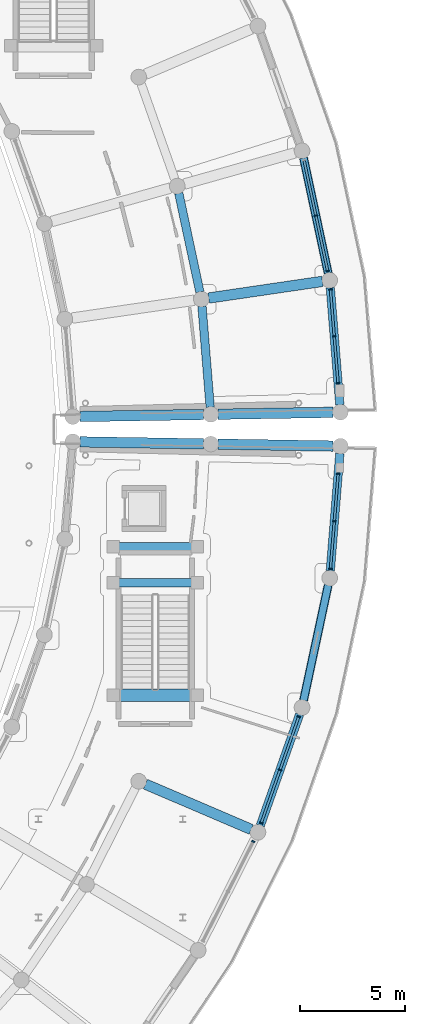
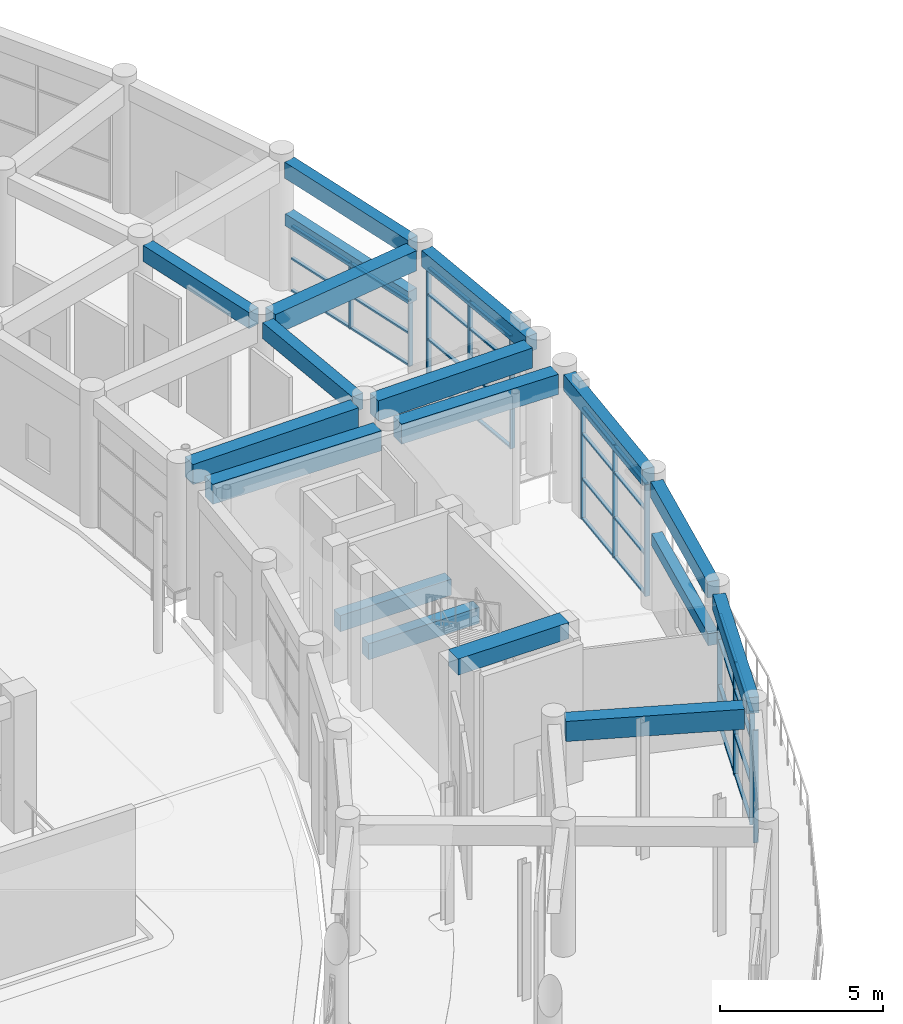
# One storey, part 45 of 99: 42 members, 18 beams, 5 elements without a shape of their own.
"""IFC4 building model written with IfcOpenShell, lengths in metres."""

from ifc_helpers import new_model, si_unit, direction, frame, origin, origin_2d, place, context, subcontext, project, spatial, rectangle, extrude, material, material_profile, profile_set, type_object, element, aggregate, save


model = new_model("IFC4")

# Units and contexts
model_context = context("Model", 3, precision=1e-05, world=origin(), true_north=direction((0.0, 1.0)))
body_context = subcontext(model_context, "Body", "Model", "MODEL_VIEW")
ifc_project = project(units=[si_unit("LENGTHUNIT", "METRE"), si_unit("AREAUNIT", "SQUARE_METRE"), si_unit("VOLUMEUNIT", "CUBIC_METRE"), si_unit("PLANEANGLEUNIT", "RADIAN"), si_unit("MASSUNIT", "GRAM", prefix="KILO")], contexts=[model_context])

# Site, building, storey
site_placement = place(None, origin())
site = spatial("IfcSite", under=ifc_project, at=site_placement, CompositionType="ELEMENT")
building_placement = place(site_placement, origin())
building = spatial("IfcBuilding", under=site, at=building_placement, Name="Saryqyr Civic Hall", CompositionType="ELEMENT")
storey_placement = place(building_placement, origin())
storey = spatial("IfcBuildingStorey", under=building, at=storey_placement, Name="L00", CompositionType="ELEMENT", Elevation=0.0)

# Curtain wall, member
ifc_material_1 = material(Name="Anodised aluminium and triple low-E glass", Category="aluminium")
curtain_wall_type_1 = type_object("IfcCurtainWallType", Name="ENV-CW-STD-35", PredefinedType="NOTDEFINED", material=ifc_material_1)
curtain_wall_1_placement = place(storey_placement, origin())
curtain_wall_1 = element("IfcCurtainWall", 1, at=curtain_wall_1_placement, inside=storey, type_object=curtain_wall_type_1, Name="Curtain wall V5-CWO-L00-06", PredefinedType="NOTDEFINED")
ifc_material_2 = material(Name="Anodised aluminium", Category="aluminium")
ifc_material_profile_1 = material_profile(ifc_material_2, rectangle(XDim=0.06005859375, YDim=0.159912109375, at=origin_2d()), Name="ALU MULLION 60x160")
ifc_profile_set_1 = profile_set([ifc_material_profile_1], Name="Anodised aluminium")
member_type_1 = type_object("IfcMemberType", Name="ENV-CW-MUL-180", PredefinedType="MULLION", material=ifc_profile_set_1)
member_1_placement = place(storey_placement, frame((101.82568359375, 64.28271484375, 0.0), z_axis=(0.0, 0.0, 1.0), x_axis=(-0.451942386625, -0.892047128335, 0.0)))
member_1 = element("IfcMember", 2, at=member_1_placement, type_object=member_type_1, Name="CW-35 mullion 1", PredefinedType="MULLION", context=body_context, shape_type="SweptSolid", body=[
    extrude(rectangle(XDim=0.06005859375, YDim=0.159912109375, at=origin_2d()), origin(), (0.0, 0.0, 1.0), 4.195068359375),
])
aggregate(curtain_wall_1, [member_1])

# Curtain wall, members
curtain_wall_2_placement = place(storey_placement, origin())
curtain_wall_2 = element("IfcCurtainWall", 3, at=curtain_wall_2_placement, inside=storey, type_object=curtain_wall_type_1, Name="Curtain wall V5-CWO-L00-07", PredefinedType="NOTDEFINED")
member_2_placement = place(storey_placement, frame((104.001220703125, 70.247802734375, 0.0), z_axis=(0.0, 0.0, 1.0), x_axis=(-0.333181095061, -0.942862852113, 0.0)))
member_2 = element("IfcMember", 4, at=member_2_placement, type_object=member_type_1, Name="CW-35 mullion 1", PredefinedType="MULLION", context=body_context, shape_type="SweptSolid", body=[
    extrude(rectangle(XDim=0.06005859375, YDim=0.159912109375, at=origin_2d()), origin(), (0.0, 0.0, 1.0), 4.195068359375),
])
member_3_placement = place(storey_placement, frame((103.103759765625, 67.707763671875, 0.0), z_axis=(0.0, 0.0, 1.0), x_axis=(-0.333181095061, -0.942862852113, 0.0)))
member_3 = element("IfcMember", 5, at=member_3_placement, type_object=member_type_1, Name="CW-35 mullion 2", PredefinedType="MULLION", context=body_context, shape_type="SweptSolid", body=[
    extrude(rectangle(XDim=0.06005859375, YDim=0.159912109375, at=origin_2d()), origin(), (0.0, 0.0, 1.0), 4.195068359375),
])
member_4_placement = place(storey_placement, frame((102.2060546875, 65.167724609375, 0.0), z_axis=(0.0, 0.0, 1.0), x_axis=(-0.333181095061, -0.942862852113, 0.0)))
member_4 = element("IfcMember", 6, at=member_4_placement, type_object=member_type_1, Name="CW-35 mullion 3", PredefinedType="MULLION", context=body_context, shape_type="SweptSolid", body=[
    extrude(rectangle(XDim=0.06005859375, YDim=0.159912109375, at=origin_2d()), origin(), (0.0, 0.0, 1.0), 4.195068359375),
])

curtain_wall_type_2 = type_object("IfcCurtainWallType", Name="ENV-CW-STD-32", PredefinedType="NOTDEFINED", material=ifc_material_1)
curtain_wall_3_placement = place(storey_placement, origin())
curtain_wall_3 = element("IfcCurtainWall", 7, at=curtain_wall_3_placement, inside=storey, type_object=curtain_wall_type_2, Name="Curtain wall V5-CWO-L00-09", PredefinedType="NOTDEFINED")
member_5_placement = place(storey_placement, frame((105.8857421875, 81.86669921875, 0.0), z_axis=(0.0, 0.0, 1.0), x_axis=(-0.081093274213, -0.996706516923, 0.0)))
member_5 = element("IfcMember", 8, at=member_5_placement, type_object=member_type_1, Name="CW-32 mullion 1", PredefinedType="MULLION", context=body_context, shape_type="SweptSolid", body=[
    extrude(rectangle(XDim=0.06005859375, YDim=0.159912109375, at=origin_2d()), origin(), (0.0, 0.0, 1.0), 4.195068359375),
])
member_6_placement = place(storey_placement, frame((105.700927734375, 79.595947265625, 0.0), z_axis=(0.0, 0.0, 1.0), x_axis=(-0.081093274213, -0.996706516923, 0.0)))
member_6 = element("IfcMember", 9, at=member_6_placement, type_object=member_type_1, Name="CW-32 mullion 2", PredefinedType="MULLION", context=body_context, shape_type="SweptSolid", body=[
    extrude(rectangle(XDim=0.06005859375, YDim=0.159912109375, at=origin_2d()), origin(), (0.0, 0.0, 1.0), 4.195068359375),
])
member_7_placement = place(storey_placement, frame((105.51611328125, 77.324951171875, 0.0), z_axis=(0.0, 0.0, 1.0), x_axis=(-0.081093274213, -0.996706516923, 0.0)))
member_7 = element("IfcMember", 10, at=member_7_placement, type_object=member_type_1, Name="CW-32 mullion 3", PredefinedType="MULLION", context=body_context, shape_type="SweptSolid", body=[
    extrude(rectangle(XDim=0.06005859375, YDim=0.159912109375, at=origin_2d()), origin(), (0.0, 0.0, 1.0), 4.195068359375),
])

curtain_wall_type_3 = type_object("IfcCurtainWallType", Name="ENV-CW-STD-12", PredefinedType="NOTDEFINED", material=ifc_material_1)
curtain_wall_4_placement = place(storey_placement, origin())
curtain_wall_4 = element("IfcCurtainWall", 11, at=curtain_wall_4_placement, inside=storey, type_object=curtain_wall_type_3, Name="Curtain wall V6-CWO-L00-00", PredefinedType="NOTDEFINED")
member_8_placement = place(storey_placement, frame((105.51611328125, 90.675048828125, 0.0), z_axis=(0.0, 0.0, 1.0), x_axis=(0.081093731966, -0.99670647968, 0.0)))
member_8 = element("IfcMember", 12, at=member_8_placement, type_object=member_type_1, Name="CW-12 mullion 1", PredefinedType="MULLION", context=body_context, shape_type="SweptSolid", body=[
    extrude(rectangle(XDim=0.06005859375, YDim=0.159912109375, at=origin_2d()), origin(), (0.0, 0.0, 1.0), 4.195068359375),
])
member_9_placement = place(storey_placement, frame((105.697998046875, 88.441650390625, 0.0), z_axis=(0.0, 0.0, 1.0), x_axis=(0.081093731966, -0.99670647968, 0.0)))
member_9 = element("IfcMember", 13, at=member_9_placement, type_object=member_type_1, Name="CW-12 mullion 2", PredefinedType="MULLION", context=body_context, shape_type="SweptSolid", body=[
    extrude(rectangle(XDim=0.06005859375, YDim=0.159912109375, at=origin_2d()), origin(), (0.0, 0.0, 1.0), 4.195068359375),
])
member_10_placement = place(storey_placement, frame((105.879638671875, 86.208251953125, 0.0), z_axis=(0.0, 0.0, 1.0), x_axis=(0.081093731966, -0.99670647968, 0.0)))
member_10 = element("IfcMember", 14, at=member_10_placement, type_object=member_type_1, Name="CW-12 mullion 3", PredefinedType="MULLION", context=body_context, shape_type="SweptSolid", body=[
    extrude(rectangle(XDim=0.06005859375, YDim=0.159912109375, at=origin_2d()), origin(), (0.0, 0.0, 1.0), 4.195068359375),
])

curtain_wall_type_4 = type_object("IfcCurtainWallType", Name="ENV-CW-STD-38", PredefinedType="NOTDEFINED", material=ifc_material_1)
curtain_wall_5_placement = place(storey_placement, origin())
curtain_wall_5 = element("IfcCurtainWall", 15, at=curtain_wall_5_placement, inside=storey, type_object=curtain_wall_type_4, Name="Curtain wall V6-CWO-L00-01", PredefinedType="NOTDEFINED")
member_11_placement = place(storey_placement, frame((104.819091796875, 94.21435546875, 0.0), z_axis=(0.0, 0.0, 1.0), x_axis=(0.208915877242, -0.977933615455, 0.0)))
member_11 = element("IfcMember", 16, at=member_11_placement, type_object=member_type_1, Name="CW-38 mullion 2", PredefinedType="MULLION", context=body_context, shape_type="SweptSolid", body=[
    extrude(rectangle(XDim=0.06005859375, YDim=0.159912109375, at=origin_2d()), origin(), (0.0, 0.0, 1.0), 2.449951171875),
])
member_12_placement = place(storey_placement, frame((105.38525390625, 91.564453125, 0.0), z_axis=(0.0, 0.0, 1.0), x_axis=(0.208915877242, -0.977933615455, 0.0)))
member_12 = element("IfcMember", 17, at=member_12_placement, type_object=member_type_1, Name="CW-38 mullion 3", PredefinedType="MULLION", context=body_context, shape_type="SweptSolid", body=[
    extrude(rectangle(XDim=0.06005859375, YDim=0.159912109375, at=origin_2d()), origin(), (0.0, 0.0, 1.0), 2.449951171875),
])

# Member
ifc_material_profile_2 = material_profile(ifc_material_2, rectangle(XDim=0.1201171875, YDim=0.06005859375, at=origin_2d()), Name="ALU TRANSOM 120x60")
ifc_profile_set_2 = profile_set([ifc_material_profile_2], Name="Anodised aluminium")
member_type_2 = type_object("IfcMemberType", Name="ENV-CW-TRN-150", PredefinedType="USERDEFINED", material=ifc_profile_set_2)
member_13_placement = place(storey_placement, frame((103.9912109375, 70.2197265625, 0.030029296875), z_axis=(-0.333110991169, -0.942887621916, 0.0), x_axis=(0.942887621916, -0.333110991169, 0.0)))
member_13 = element("IfcMember", 18, at=member_13_placement, type_object=member_type_2, Name="CW-35 transom 1.1", ObjectType="TRANSOM", PredefinedType="USERDEFINED", context=body_context, shape_type="SweptSolid", body=[
    extrude(rectangle(XDim=0.1201171875, YDim=0.06005859375, at=origin_2d()), origin(), (0.0, 0.0, 1.0), 2.634033203125),
])

member_14_placement = place(storey_placement, frame((103.9912109375, 70.2197265625, 1.510009765625), z_axis=(-0.333110991169, -0.942887621916, 0.0), x_axis=(0.942887621916, -0.333110991169, 0.0)))
member_14 = element("IfcMember", 19, at=member_14_placement, type_object=member_type_2, Name="CW-35 transom 1.2", ObjectType="TRANSOM", PredefinedType="USERDEFINED", context=body_context, shape_type="SweptSolid", body=[
    extrude(rectangle(XDim=0.1201171875, YDim=0.06005859375, at=origin_2d()), origin(), (0.0, 0.0, 1.0), 2.634033203125),
])

member_15_placement = place(storey_placement, frame((103.9912109375, 70.2197265625, 3.18798828125), z_axis=(-0.333110991169, -0.942887621916, 0.0), x_axis=(0.942887621916, -0.333110991169, 0.0)))
member_15 = element("IfcMember", 20, at=member_15_placement, type_object=member_type_2, Name="CW-35 transom 1.3", ObjectType="TRANSOM", PredefinedType="USERDEFINED", context=body_context, shape_type="SweptSolid", body=[
    extrude(rectangle(XDim=0.1201171875, YDim=0.06005859375, at=origin_2d()), origin(), (0.0, 0.0, 1.0), 2.634033203125),
])

member_16_placement = place(storey_placement, frame((103.9912109375, 70.2197265625, 4.1650390625), z_axis=(-0.333110991169, -0.942887621916, 0.0), x_axis=(0.942887621916, -0.333110991169, 0.0)))
member_16 = element("IfcMember", 21, at=member_16_placement, type_object=member_type_2, Name="CW-35 transom 1.4", ObjectType="TRANSOM", PredefinedType="USERDEFINED", context=body_context, shape_type="SweptSolid", body=[
    extrude(rectangle(XDim=0.1201171875, YDim=0.06005859375, at=origin_2d()), origin(), (0.0, 0.0, 1.0), 2.634033203125),
])

member_17_placement = place(storey_placement, frame((103.09375, 67.679443359375, 0.030029296875), z_axis=(-0.333222506993, -0.942848217283, 0.0), x_axis=(0.942848217283, -0.333222506993, 0.0)))
member_17 = element("IfcMember", 22, at=member_17_placement, type_object=member_type_2, Name="CW-35 transom 2.1", ObjectType="TRANSOM", PredefinedType="USERDEFINED", context=body_context, shape_type="SweptSolid", body=[
    extrude(rectangle(XDim=0.1201171875, YDim=0.06005859375, at=origin_2d()), origin(), (0.0, 0.0, 1.0), 2.634033203125),
])

member_18_placement = place(storey_placement, frame((103.09375, 67.679443359375, 1.510009765625), z_axis=(-0.333222506993, -0.942848217283, 0.0), x_axis=(0.942848217283, -0.333222506993, 0.0)))
member_18 = element("IfcMember", 23, at=member_18_placement, type_object=member_type_2, Name="CW-35 transom 2.2", ObjectType="TRANSOM", PredefinedType="USERDEFINED", context=body_context, shape_type="SweptSolid", body=[
    extrude(rectangle(XDim=0.1201171875, YDim=0.06005859375, at=origin_2d()), origin(), (0.0, 0.0, 1.0), 2.634033203125),
])

member_19_placement = place(storey_placement, frame((103.09375, 67.679443359375, 3.18798828125), z_axis=(-0.333222506993, -0.942848217283, 0.0), x_axis=(0.942848217283, -0.333222506993, 0.0)))
member_19 = element("IfcMember", 24, at=member_19_placement, type_object=member_type_2, Name="CW-35 transom 2.3", ObjectType="TRANSOM", PredefinedType="USERDEFINED", context=body_context, shape_type="SweptSolid", body=[
    extrude(rectangle(XDim=0.1201171875, YDim=0.06005859375, at=origin_2d()), origin(), (0.0, 0.0, 1.0), 2.634033203125),
])

member_20_placement = place(storey_placement, frame((103.09375, 67.679443359375, 4.1650390625), z_axis=(-0.333222506993, -0.942848217283, 0.0), x_axis=(0.942848217283, -0.333222506993, 0.0)))
member_20 = element("IfcMember", 25, at=member_20_placement, type_object=member_type_2, Name="CW-35 transom 2.4", ObjectType="TRANSOM", PredefinedType="USERDEFINED", context=body_context, shape_type="SweptSolid", body=[
    extrude(rectangle(XDim=0.1201171875, YDim=0.06005859375, at=origin_2d()), origin(), (0.0, 0.0, 1.0), 2.634033203125),
])

aggregate(curtain_wall_2, [member_2, member_3, member_4, member_13, member_14, member_15, member_16, member_17, member_18, member_19, member_20])

member_21_placement = place(storey_placement, frame((105.88330078125, 81.8369140625, 0.030029296875), z_axis=(-0.081105440366, -0.996705526995, 0.0), x_axis=(0.996705526995, -0.081105440366, 0.0)))
member_21 = element("IfcMember", 26, at=member_21_placement, type_object=member_type_2, Name="CW-32 transom 1.1", ObjectType="TRANSOM", PredefinedType="USERDEFINED", context=body_context, shape_type="SweptSolid", body=[
    extrude(rectangle(XDim=0.1201171875, YDim=0.06005859375, at=origin_2d()), origin(), (0.0, 0.0, 1.0), 2.218505859375),
])

member_22_placement = place(storey_placement, frame((105.88330078125, 81.8369140625, 1.510009765625), z_axis=(-0.081105440366, -0.996705526995, 0.0), x_axis=(0.996705526995, -0.081105440366, 0.0)))
member_22 = element("IfcMember", 27, at=member_22_placement, type_object=member_type_2, Name="CW-32 transom 1.2", ObjectType="TRANSOM", PredefinedType="USERDEFINED", context=body_context, shape_type="SweptSolid", body=[
    extrude(rectangle(XDim=0.1201171875, YDim=0.06005859375, at=origin_2d()), origin(), (0.0, 0.0, 1.0), 2.218505859375),
])

member_23_placement = place(storey_placement, frame((105.88330078125, 81.8369140625, 3.18798828125), z_axis=(-0.081105440366, -0.996705526995, 0.0), x_axis=(0.996705526995, -0.081105440366, 0.0)))
member_23 = element("IfcMember", 28, at=member_23_placement, type_object=member_type_2, Name="CW-32 transom 1.3", ObjectType="TRANSOM", PredefinedType="USERDEFINED", context=body_context, shape_type="SweptSolid", body=[
    extrude(rectangle(XDim=0.1201171875, YDim=0.06005859375, at=origin_2d()), origin(), (0.0, 0.0, 1.0), 2.218505859375),
])

member_24_placement = place(storey_placement, frame((105.88330078125, 81.8369140625, 4.1650390625), z_axis=(-0.081105440366, -0.996705526995, 0.0), x_axis=(0.996705526995, -0.081105440366, 0.0)))
member_24 = element("IfcMember", 29, at=member_24_placement, type_object=member_type_2, Name="CW-32 transom 1.4", ObjectType="TRANSOM", PredefinedType="USERDEFINED", context=body_context, shape_type="SweptSolid", body=[
    extrude(rectangle(XDim=0.1201171875, YDim=0.06005859375, at=origin_2d()), origin(), (0.0, 0.0, 1.0), 2.218505859375),
])

member_25_placement = place(storey_placement, frame((105.698486328125, 79.56591796875, 0.030029296875), z_axis=(-0.081105440366, -0.996705526995, 0.0), x_axis=(0.996705526995, -0.081105440366, 0.0)))
member_25 = element("IfcMember", 30, at=member_25_placement, type_object=member_type_2, Name="CW-32 transom 2.1", ObjectType="TRANSOM", PredefinedType="USERDEFINED", context=body_context, shape_type="SweptSolid", body=[
    extrude(rectangle(XDim=0.1201171875, YDim=0.06005859375, at=origin_2d()), origin(), (0.0, 0.0, 1.0), 2.218505859375),
])

member_26_placement = place(storey_placement, frame((105.698486328125, 79.56591796875, 1.510009765625), z_axis=(-0.081105440366, -0.996705526995, 0.0), x_axis=(0.996705526995, -0.081105440366, 0.0)))
member_26 = element("IfcMember", 31, at=member_26_placement, type_object=member_type_2, Name="CW-32 transom 2.2", ObjectType="TRANSOM", PredefinedType="USERDEFINED", context=body_context, shape_type="SweptSolid", body=[
    extrude(rectangle(XDim=0.1201171875, YDim=0.06005859375, at=origin_2d()), origin(), (0.0, 0.0, 1.0), 2.218505859375),
])

member_27_placement = place(storey_placement, frame((105.698486328125, 79.56591796875, 3.18798828125), z_axis=(-0.081105440366, -0.996705526995, 0.0), x_axis=(0.996705526995, -0.081105440366, 0.0)))
member_27 = element("IfcMember", 32, at=member_27_placement, type_object=member_type_2, Name="CW-32 transom 2.3", ObjectType="TRANSOM", PredefinedType="USERDEFINED", context=body_context, shape_type="SweptSolid", body=[
    extrude(rectangle(XDim=0.1201171875, YDim=0.06005859375, at=origin_2d()), origin(), (0.0, 0.0, 1.0), 2.218505859375),
])

member_28_placement = place(storey_placement, frame((105.698486328125, 79.56591796875, 4.1650390625), z_axis=(-0.081105440366, -0.996705526995, 0.0), x_axis=(0.996705526995, -0.081105440366, 0.0)))
member_28 = element("IfcMember", 33, at=member_28_placement, type_object=member_type_2, Name="CW-32 transom 2.4", ObjectType="TRANSOM", PredefinedType="USERDEFINED", context=body_context, shape_type="SweptSolid", body=[
    extrude(rectangle(XDim=0.1201171875, YDim=0.06005859375, at=origin_2d()), origin(), (0.0, 0.0, 1.0), 2.218505859375),
])

aggregate(curtain_wall_3, [member_5, member_6, member_7, member_21, member_22, member_23, member_24, member_25, member_26, member_27, member_28])

member_29_placement = place(storey_placement, frame((105.5185546875, 90.645263671875, 0.030029296875), z_axis=(0.081155497863, -0.996701452375, 0.0), x_axis=(0.996701452375, 0.081155497863, 0.0)))
member_29 = element("IfcMember", 34, at=member_29_placement, type_object=member_type_2, Name="CW-12 transom 1.1", ObjectType="TRANSOM", PredefinedType="USERDEFINED", context=body_context, shape_type="SweptSolid", body=[
    extrude(rectangle(XDim=0.1201171875, YDim=0.06005859375, at=origin_2d()), origin(), (0.0, 0.0, 1.0), 2.180908203125),
])

member_30_placement = place(storey_placement, frame((105.5185546875, 90.645263671875, 1.510009765625), z_axis=(0.081155497863, -0.996701452375, 0.0), x_axis=(0.996701452375, 0.081155497863, 0.0)))
member_30 = element("IfcMember", 35, at=member_30_placement, type_object=member_type_2, Name="CW-12 transom 1.2", ObjectType="TRANSOM", PredefinedType="USERDEFINED", context=body_context, shape_type="SweptSolid", body=[
    extrude(rectangle(XDim=0.1201171875, YDim=0.06005859375, at=origin_2d()), origin(), (0.0, 0.0, 1.0), 2.180908203125),
])

member_31_placement = place(storey_placement, frame((105.5185546875, 90.645263671875, 3.18798828125), z_axis=(0.081155497863, -0.996701452375, 0.0), x_axis=(0.996701452375, 0.081155497863, 0.0)))
member_31 = element("IfcMember", 36, at=member_31_placement, type_object=member_type_2, Name="CW-12 transom 1.3", ObjectType="TRANSOM", PredefinedType="USERDEFINED", context=body_context, shape_type="SweptSolid", body=[
    extrude(rectangle(XDim=0.1201171875, YDim=0.06005859375, at=origin_2d()), origin(), (0.0, 0.0, 1.0), 2.180908203125),
])

member_32_placement = place(storey_placement, frame((105.5185546875, 90.645263671875, 4.1650390625), z_axis=(0.081155497863, -0.996701452375, 0.0), x_axis=(0.996701452375, 0.081155497863, 0.0)))
member_32 = element("IfcMember", 37, at=member_32_placement, type_object=member_type_2, Name="CW-12 transom 1.4", ObjectType="TRANSOM", PredefinedType="USERDEFINED", context=body_context, shape_type="SweptSolid", body=[
    extrude(rectangle(XDim=0.1201171875, YDim=0.06005859375, at=origin_2d()), origin(), (0.0, 0.0, 1.0), 2.180908203125),
])

member_33_placement = place(storey_placement, frame((105.700439453125, 88.411865234375, 0.030029296875), z_axis=(0.081044294982, -0.996710500723, 0.0), x_axis=(0.996710500723, 0.081044294982, 0.0)))
member_33 = element("IfcMember", 38, at=member_33_placement, type_object=member_type_2, Name="CW-12 transom 2.1", ObjectType="TRANSOM", PredefinedType="USERDEFINED", context=body_context, shape_type="SweptSolid", body=[
    extrude(rectangle(XDim=0.1201171875, YDim=0.06005859375, at=origin_2d()), origin(), (0.0, 0.0, 1.0), 2.180908203125),
])

member_34_placement = place(storey_placement, frame((105.700439453125, 88.411865234375, 1.510009765625), z_axis=(0.081044294982, -0.996710500723, 0.0), x_axis=(0.996710500723, 0.081044294982, 0.0)))
member_34 = element("IfcMember", 39, at=member_34_placement, type_object=member_type_2, Name="CW-12 transom 2.2", ObjectType="TRANSOM", PredefinedType="USERDEFINED", context=body_context, shape_type="SweptSolid", body=[
    extrude(rectangle(XDim=0.1201171875, YDim=0.06005859375, at=origin_2d()), origin(), (0.0, 0.0, 1.0), 2.180908203125),
])

member_35_placement = place(storey_placement, frame((105.700439453125, 88.411865234375, 3.18798828125), z_axis=(0.081044294982, -0.996710500723, 0.0), x_axis=(0.996710500723, 0.081044294982, 0.0)))
member_35 = element("IfcMember", 40, at=member_35_placement, type_object=member_type_2, Name="CW-12 transom 2.3", ObjectType="TRANSOM", PredefinedType="USERDEFINED", context=body_context, shape_type="SweptSolid", body=[
    extrude(rectangle(XDim=0.1201171875, YDim=0.06005859375, at=origin_2d()), origin(), (0.0, 0.0, 1.0), 2.180908203125),
])

member_36_placement = place(storey_placement, frame((105.700439453125, 88.411865234375, 4.1650390625), z_axis=(0.081044294982, -0.996710500723, 0.0), x_axis=(0.996710500723, 0.081044294982, 0.0)))
member_36 = element("IfcMember", 41, at=member_36_placement, type_object=member_type_2, Name="CW-12 transom 2.4", ObjectType="TRANSOM", PredefinedType="USERDEFINED", context=body_context, shape_type="SweptSolid", body=[
    extrude(rectangle(XDim=0.1201171875, YDim=0.06005859375, at=origin_2d()), origin(), (0.0, 0.0, 1.0), 2.180908203125),
])

aggregate(curtain_wall_4, [member_8, member_9, member_10, member_29, member_30, member_31, member_32, member_33, member_34, member_35, member_36])

member_37_placement = place(storey_placement, frame((104.259033203125, 96.835205078125, 0.030029296875), z_axis=(0.208943932706, -0.977927621547, 0.0), x_axis=(0.977927621547, 0.208943932706, 0.0)))
member_37 = element("IfcMember", 42, at=member_37_placement, type_object=member_type_2, Name="CW-38 transom 1.1", ObjectType="TRANSOM", PredefinedType="USERDEFINED", context=body_context, shape_type="SweptSolid", body=[
    extrude(rectangle(XDim=0.1201171875, YDim=0.06005859375, at=origin_2d()), origin(), (0.0, 0.0, 1.0), 2.650146484375),
])

member_38_placement = place(storey_placement, frame((104.259033203125, 96.835205078125, 1.22509765625), z_axis=(0.208943932706, -0.977927621547, 0.0), x_axis=(0.977927621547, 0.208943932706, 0.0)))
member_38 = element("IfcMember", 43, at=member_38_placement, type_object=member_type_2, Name="CW-38 transom 1.2", ObjectType="TRANSOM", PredefinedType="USERDEFINED", context=body_context, shape_type="SweptSolid", body=[
    extrude(rectangle(XDim=0.1201171875, YDim=0.06005859375, at=origin_2d()), origin(), (0.0, 0.0, 1.0), 2.650146484375),
])

member_39_placement = place(storey_placement, frame((104.259033203125, 96.835205078125, 2.419921875), z_axis=(0.208943932706, -0.977927621547, 0.0), x_axis=(0.977927621547, 0.208943932706, 0.0)))
member_39 = element("IfcMember", 44, at=member_39_placement, type_object=member_type_2, Name="CW-38 transom 1.3", ObjectType="TRANSOM", PredefinedType="USERDEFINED", context=body_context, shape_type="SweptSolid", body=[
    extrude(rectangle(XDim=0.1201171875, YDim=0.06005859375, at=origin_2d()), origin(), (0.0, 0.0, 1.0), 2.650146484375),
])

member_40_placement = place(storey_placement, frame((104.8251953125, 94.18505859375, 0.030029296875), z_axis=(0.208962758852, -0.977923598965, 0.0), x_axis=(0.977923598965, 0.208962758852, 0.0)))
member_40 = element("IfcMember", 45, at=member_40_placement, type_object=member_type_2, Name="CW-38 transom 2.1", ObjectType="TRANSOM", PredefinedType="USERDEFINED", context=body_context, shape_type="SweptSolid", body=[
    extrude(rectangle(XDim=0.1201171875, YDim=0.06005859375, at=origin_2d()), origin(), (0.0, 0.0, 1.0), 2.64990234375),
])

member_41_placement = place(storey_placement, frame((104.8251953125, 94.18505859375, 1.22509765625), z_axis=(0.208962758852, -0.977923598965, 0.0), x_axis=(0.977923598965, 0.208962758852, 0.0)))
member_41 = element("IfcMember", 46, at=member_41_placement, type_object=member_type_2, Name="CW-38 transom 2.2", ObjectType="TRANSOM", PredefinedType="USERDEFINED", context=body_context, shape_type="SweptSolid", body=[
    extrude(rectangle(XDim=0.1201171875, YDim=0.06005859375, at=origin_2d()), origin(), (0.0, 0.0, 1.0), 2.64990234375),
])

member_42_placement = place(storey_placement, frame((104.8251953125, 94.18505859375, 2.419921875), z_axis=(0.208962758852, -0.977923598965, 0.0), x_axis=(0.977923598965, 0.208962758852, 0.0)))
member_42 = element("IfcMember", 47, at=member_42_placement, type_object=member_type_2, Name="CW-38 transom 2.3", ObjectType="TRANSOM", PredefinedType="USERDEFINED", context=body_context, shape_type="SweptSolid", body=[
    extrude(rectangle(XDim=0.1201171875, YDim=0.06005859375, at=origin_2d()), origin(), (0.0, 0.0, 1.0), 2.64990234375),
])

aggregate(curtain_wall_5, [member_11, member_12, member_37, member_38, member_39, member_40, member_41, member_42])

# Beams
ifc_material_3 = material(Name="Concrete C35/45", Category="concrete")
ifc_material_profile_3 = material_profile(ifc_material_3, rectangle(XDim=0.39990234375, YDim=0.60009765625, at=origin_2d()), Name="RC 400x600")
ifc_profile_set_3 = profile_set([ifc_material_profile_3], Name="Concrete C35/45")
beam_type_1 = type_object("IfcBeamType", Name="STR-BM-RC400x600", PredefinedType="BEAM", material=ifc_profile_set_3)
beam_1_placement = place(storey_placement, frame((99.765625, 85.058349609375, 4.52001953125), z_axis=(-0.081061627259, 0.996709091253, 0.0), x_axis=(-0.996709091253, -0.081061627259, 0.0)))
element("IfcBeam", 48, at=beam_1_placement, inside=storey, type_object=beam_type_1, Name="Beam V6-CBM-MID00-L00", PredefinedType="BEAM", context=body_context, shape_type="SweptSolid", body=[
    extrude(rectangle(XDim=0.39990234375, YDim=0.60009765625, at=origin_2d()), origin(), (0.0, 0.0, 1.0), 4.827880859375),
])
beam_2_placement = place(storey_placement, frame((99.272705078125, 90.561279296875, 4.52001953125), z_axis=(-0.208907397295, 0.977935426987, 0.0), x_axis=(-0.977935426987, -0.208907397295, 0.0)))
element("IfcBeam", 49, at=beam_2_placement, inside=storey, type_object=beam_type_1, Name="Beam V6-CBM-MID01-L00", PredefinedType="BEAM", context=body_context, shape_type="SweptSolid", body=[
    extrude(rectangle(XDim=0.39990234375, YDim=0.60009765625, at=origin_2d()), origin(), (0.0, 0.0, 1.0), 4.82763671875),
])
for number, where, z_axis, x_axis, name in (
    (50, (99.10009765625, 76.64990234375, 2.050048828125), (-1.0, 0.0, 0.0), (0.0, -1.0, 0.0), "Stair half-landing support beam ST-5-LND1-L00"),
    (51, (99.10009765625, 78.3798828125, 2.050048828125), (-1.0, 0.0, 0.0), (0.0, -1.0, 0.0), "Stair half-landing support beam ST-5-LND2-L00"),
):
    element("IfcBeam", number, at=place(storey_placement, frame(where, z_axis=z_axis, x_axis=x_axis)), inside=storey, type_object=beam_type_1, Name=name, PredefinedType="BEAM", context=body_context, shape_type="SweptSolid", body=[
        extrude(rectangle(XDim=0.39990234375, YDim=0.60009765625, at=origin_2d()), origin(), (0.0, 0.0, 1.0), 3.920166015625),
    ])
ifc_material_profile_4 = material_profile(ifc_material_3, rectangle(XDim=0.39990234375, YDim=0.60009765625, at=origin_2d()), Name="RC 400x600")
ifc_profile_set_4 = profile_set([ifc_material_profile_4], Name="Concrete C35/45")
beam_type_2 = type_object("IfcBeamType", Name="STR-BM-RC400x600-EXT", PredefinedType="BEAM", material=ifc_profile_set_4)
for number, where, z_axis, x_axis, name in (
    (52, (102.166015625, 65.054443359375, 4.52001953125), (0.333223962687, 0.942847702808, 0.0), (-0.942847702808, 0.333223962687, 0.0), "Beam V5-CBM-OUT07-L00"),
    (53, (104.231201171875, 71.033447265625, 4.52001953125), (0.208903992851, 0.977936154241, 0.0), (-0.977936154241, 0.208903992851, 0.0), "Beam V5-CBM-OUT08-L00"),
):
    element("IfcBeam", number, at=place(storey_placement, frame(where, z_axis=z_axis, x_axis=x_axis)), inside=storey, type_object=beam_type_2, Name=name, PredefinedType="BEAM", context=body_context, shape_type="SweptSolid", body=[
        extrude(rectangle(XDim=0.39990234375, YDim=0.60009765625, at=origin_2d()), origin(), (0.0, 0.0, 1.0), 5.62841796875),
    ])
for number, where, z_axis, x_axis, name in (
    (54, (105.50830078125, 77.228759765625, 4.52001953125), (0.081110516689, 0.996705113904, 0.0), (-0.996705113904, 0.081110516689, 0.0), "Beam V5-CBM-OUT09-L00"),
    (55, (105.96484375, 85.1611328125, 4.52001953125), (-0.081110516689, 0.996705113904, 0.0), (-0.996705113904, -0.081110516689, 0.0), "Beam V6-CBM-OUT00-L00"),
):
    element("IfcBeam", number, at=place(storey_placement, frame(where, z_axis=z_axis, x_axis=x_axis)), inside=storey, type_object=beam_type_2, Name=name, PredefinedType="BEAM", context=body_context, shape_type="SweptSolid", body=[
        extrude(rectangle(XDim=0.39990234375, YDim=0.60009765625, at=origin_2d()), origin(), (0.0, 0.0, 1.0), 5.628662109375),
    ])
beam_3_placement = place(storey_placement, frame((105.406982421875, 91.46240234375, 4.52001953125), z_axis=(-0.208903992851, 0.977936154241, 0.0), x_axis=(-0.977936154241, -0.208903992851, 0.0)))
element("IfcBeam", 56, at=beam_3_placement, inside=storey, type_object=beam_type_2, Name="Beam V6-CBM-OUT01-L00", PredefinedType="BEAM", context=body_context, shape_type="SweptSolid", body=[
    extrude(rectangle(XDim=0.39990234375, YDim=0.60009765625, at=origin_2d()), origin(), (0.0, 0.0, 1.0), 5.62841796875),
])
ifc_material_4 = material(Name="Concrete C40/50", Category="concrete")
ifc_material_profile_5 = material_profile(ifc_material_4, rectangle(XDim=0.5, YDim=0.75, at=origin_2d()), Name="RC 500x750")
ifc_profile_set_5 = profile_set([ifc_material_profile_5], Name="Concrete C40/50")
beam_type_3 = type_object("IfcBeamType", Name="STR-BM-RC500x750", PredefinedType="BEAM", material=ifc_profile_set_5)
beam_4_placement = place(storey_placement, frame((96.671142578125, 67.025634765625, 4.445068359375), z_axis=(0.919372187096, -0.393388842743, 0.0), x_axis=(0.393388842743, 0.919372187096, 0.0)))
element("IfcBeam", 57, at=beam_4_placement, inside=storey, type_object=beam_type_3, Name="Beam V5-RBM-B07-L00", PredefinedType="BEAM", context=body_context, shape_type="SweptSolid", body=[
    extrude(rectangle(XDim=0.5, YDim=0.75, at=origin_2d()), origin(), (0.0, 0.0, 1.0), 5.499755859375),
])
beam_5_placement = place(storey_placement, frame((93.544921875, 83.39404296875, 4.445068359375), z_axis=(0.999862321114, -0.016593336538, 0.0), x_axis=(0.016593336538, 0.999862321114, 0.0)))
element("IfcBeam", 58, at=beam_5_placement, inside=storey, type_object=beam_type_3, Name="Beam V5-RBM-A10-L00", PredefinedType="BEAM", context=body_context, shape_type="SweptSolid", body=[
    extrude(rectangle(XDim=0.5, YDim=0.75, at=origin_2d()), origin(), (0.0, 0.0, 1.0), 5.89990234375),
])
beam_6_placement = place(storey_placement, frame((100.14404296875, 83.28466796875, 4.445068359375), z_axis=(0.999862185846, -0.01660148535, 0.0), x_axis=(0.01660148535, 0.999862185846, 0.0)))
element("IfcBeam", 59, at=beam_6_placement, inside=storey, type_object=beam_type_3, Name="Beam V5-RBM-B10-L00", PredefinedType="BEAM", context=body_context, shape_type="SweptSolid", body=[
    extrude(rectangle(XDim=0.5, YDim=0.75, at=origin_2d()), origin(), (0.0, 0.0, 1.0), 5.5),
])
beam_7_placement = place(storey_placement, frame((93.544921875, 84.60595703125, 4.445068359375), z_axis=(0.999862321114, 0.016593336538, 0.0), x_axis=(-0.016593336538, 0.999862321114, 0.0)))
element("IfcBeam", 60, at=beam_7_placement, inside=storey, type_object=beam_type_3, Name="Beam V6-RBM-A00-L00", PredefinedType="BEAM", context=body_context, shape_type="SweptSolid", body=[
    extrude(rectangle(XDim=0.5, YDim=0.75, at=origin_2d()), origin(), (0.0, 0.0, 1.0), 5.89990234375),
])
for number, where, z_axis, x_axis, name in (
    (61, (100.14404296875, 84.71533203125, 4.445068359375), (0.999862185846, 0.01660148535, 0.0), (-0.01660148535, 0.999862185846, 0.0), "Beam V6-RBM-B00-L00"),
    (62, (99.692138671875, 90.27001953125, 4.445068359375), (0.989389746084, 0.145285685268, 0.0), (-0.145285685268, 0.989389746084, 0.0), "Beam V6-RBM-B01-L00"),
):
    element("IfcBeam", number, at=place(storey_placement, frame(where, z_axis=z_axis, x_axis=x_axis)), inside=storey, type_object=beam_type_3, Name=name, PredefinedType="BEAM", context=body_context, shape_type="SweptSolid", body=[
        extrude(rectangle(XDim=0.5, YDim=0.75, at=origin_2d()), origin(), (0.0, 0.0, 1.0), 5.5),
    ])
ifc_material_profile_6 = material_profile(ifc_material_4, rectangle(XDim=0.60009765625, YDim=0.60009765625, at=origin_2d()), Name="RC 600x600")
ifc_profile_set_6 = profile_set([ifc_material_profile_6], Name="Concrete C40/50")
beam_type_4 = type_object("IfcBeamType", Name="STR-BM-RC600x600", PredefinedType="BEAM", material=ifc_profile_set_6)
beam_8_placement = place(storey_placement, frame((99.10009765625, 71.27490234375, 4.800048828125), z_axis=(-1.0, 0.0, 0.0), x_axis=(0.0, -1.0, 0.0)))
element("IfcBeam", 63, at=beam_8_placement, inside=storey, type_object=beam_type_4, Name="Stair well trimmer beam ST-5-L01", PredefinedType="BEAM", context=body_context, shape_type="SweptSolid", body=[
    extrude(rectangle(XDim=0.60009765625, YDim=0.60009765625, at=origin_2d()), origin(), (0.0, 0.0, 1.0), 3.920166015625),
])
ifc_material_5 = material(Name="Precast concrete C40/50", Category="concrete")
ifc_material_profile_7 = material_profile(ifc_material_5, rectangle(XDim=0.35009765625, YDim=0.449951171875, at=origin_2d()), Name="RC 350x450")
ifc_profile_set_7 = profile_set([ifc_material_profile_7], Name="Precast concrete C40/50")
beam_type_5 = type_object("IfcBeamType", Name="STR-LIN-RC350x450", PredefinedType="LINTEL", material=ifc_profile_set_7)
for number, where, z_axis, x_axis, name in (
    (64, (104.231201171875, 71.033447265625, 2.655029296875), (0.208903992851, 0.977936154241, 0.0), (-0.977936154241, 0.208903992851, 0.0), "Beam V5-LIN-08-L00"),
    (65, (105.406982421875, 91.46240234375, 2.655029296875), (-0.208903992851, 0.977936154241, 0.0), (-0.977936154241, -0.208903992851, 0.0), "Beam V6-LIN-01-L00"),
):
    element("IfcBeam", number, at=place(storey_placement, frame(where, z_axis=z_axis, x_axis=x_axis)), inside=storey, type_object=beam_type_5, Name=name, PredefinedType="LINTEL", context=body_context, shape_type="SweptSolid", body=[
        extrude(rectangle(XDim=0.35009765625, YDim=0.449951171875, at=origin_2d()), origin(), (0.0, 0.0, 1.0), 5.62841796875),
    ])

save(model, "model.ifc")
